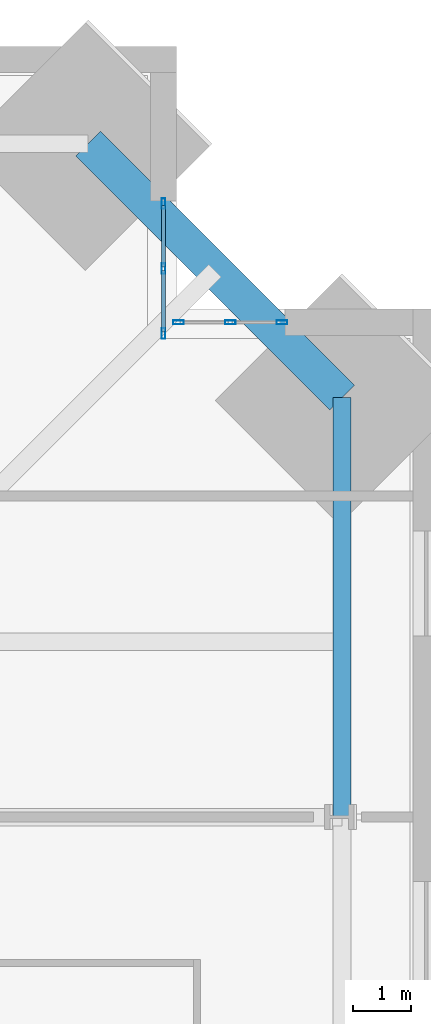
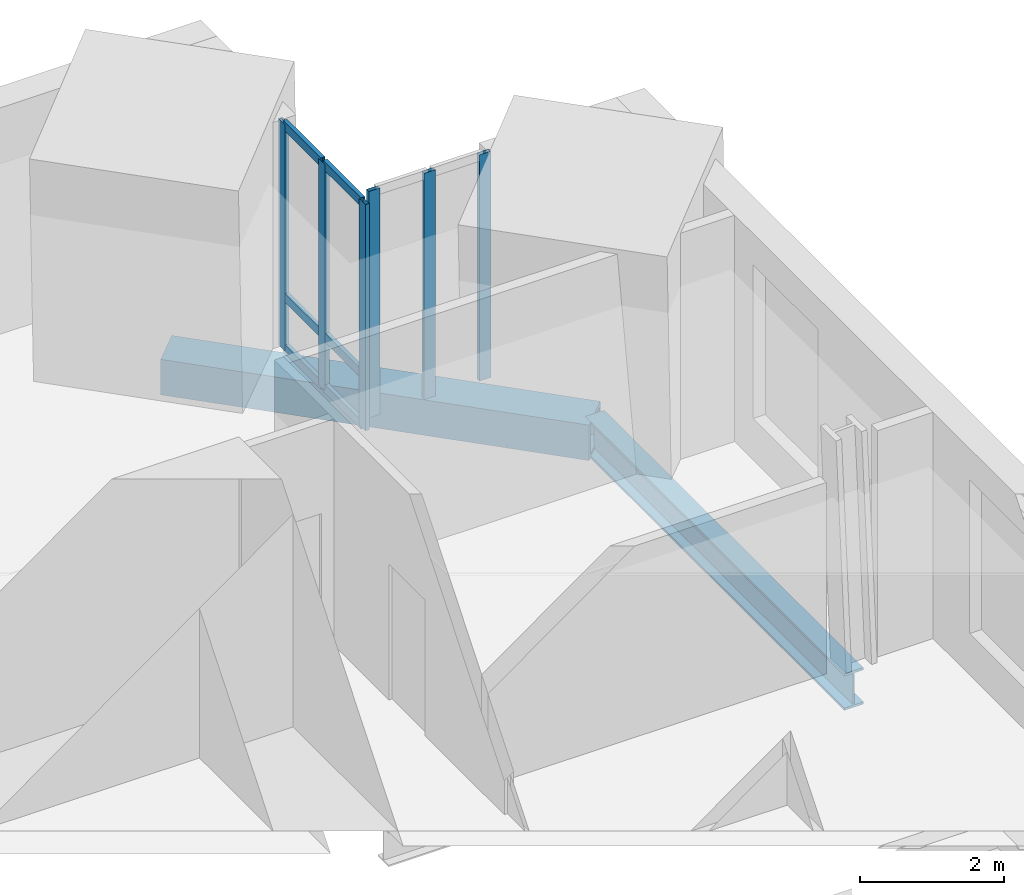
# One storey, part 8 of 15: 12 members, 2 beams, 2 elements without a shape of their own.
"""IFC4 building model written with IfcOpenShell, lengths in metres."""

from ifc_helpers import new_model, si_unit, direction, frame, origin, origin_2d, place, context, subcontext, project, spatial, hollow_rectangle, i_section, extrude, material, material_profile, profile_set, type_object, element, aggregate, save


model = new_model("IFC4")

# Units and contexts
model_context = context("Model", 3, precision=1e-05, world=origin(), true_north=direction((0.0, 1.0)))
body_context = subcontext(model_context, "Body", "Model", "MODEL_VIEW")
ifc_project = project(units=[si_unit("LENGTHUNIT", "METRE"), si_unit("AREAUNIT", "SQUARE_METRE"), si_unit("VOLUMEUNIT", "CUBIC_METRE"), si_unit("PLANEANGLEUNIT", "RADIAN"), si_unit("MASSUNIT", "GRAM", prefix="KILO")], contexts=[model_context])

# Site, building, storey
site_placement = place(None, origin())
site = spatial("IfcSite", under=ifc_project, at=site_placement, CompositionType="ELEMENT")
building_placement = place(site_placement, origin())
building = spatial("IfcBuilding", under=site, at=building_placement, Name="Peilmerk Tower", CompositionType="ELEMENT")
storey_placement = place(building_placement, frame((0.0, 0.0, 281.800048828125)))
storey = spatial("IfcBuildingStorey", under=building, at=storey_placement, Name="L63", CompositionType="ELEMENT", Elevation=281.800048828125)

# Beams
ifc_material_1 = material(Name="Steel S460", Category="steel")
ifc_material_profile_1 = material_profile(ifc_material_1, hollow_rectangle(XDim=0.60009765625, YDim=0.60009765625, WallThickness=0.06005859375, at=origin_2d()), Name="BOX 600x600x60")
ifc_profile_set_1 = profile_set([ifc_material_profile_1], Name="Steel S460")
beam_type_1 = type_object("IfcBeamType", Name="B20 BOX 600x600x60 notch beam", PredefinedType="SPANDREL", material=ifc_profile_set_1)
beam_1_placement = place(storey_placement, frame((15.183837890625, 19.533935546875, -0.469970703125), z_axis=(0.707106781187, -0.707106781187, 0.0), x_axis=(0.707106781187, 0.707106781187, 0.0)))
element("IfcBeam", 1, at=beam_1_placement, inside=storey, type_object=beam_type_1, Name="Notch beam L63", PredefinedType="SPANDREL", context=body_context, shape_type="SweptSolid", body=[
    extrude(hollow_rectangle(XDim=0.60009765625, YDim=0.60009765625, WallThickness=0.06005859375, at=origin_2d()), origin(), (0.0, 0.0, 1.0), 6.15185546875),
])
ifc_material_2 = material(Name="Steel S355", Category="steel")
ifc_material_profile_2 = material_profile(ifc_material_2, i_section(OverallWidth=0.304931640625, OverallDepth=0.6201171875, WebThickness=0.02099609375, FlangeThickness=0.0400390625, at=origin_2d()), Name="HEM 600")
ifc_profile_set_2 = profile_set([ifc_material_profile_2], Name="Steel S355")
beam_type_2 = type_object("IfcBeamType", Name="B31 HEM 600 edge beam", PredefinedType="SPANDREL", material=ifc_profile_set_2)
beam_2_placement = place(storey_placement, frame((19.533935546875, 8.0, -0.47998046875), z_axis=(0.0, 1.0, 0.0), x_axis=(-1.0, 0.0, 0.0)))
element("IfcBeam", 2, at=beam_2_placement, inside=storey, type_object=beam_type_2, Name="Edge beam L63", PredefinedType="SPANDREL", context=body_context, shape_type="SweptSolid", body=[
    extrude(i_section(OverallWidth=0.304931640625, OverallDepth=0.6201171875, WebThickness=0.02099609375, FlangeThickness=0.0400390625, at=origin_2d()), origin(), (0.0, 0.0, 1.0), 7.183837890625),
])

# Curtain wall, members
ifc_material_3 = material(Name="Aluminium stick curtain wall", Category="aluminium")
curtain_wall_type = type_object("IfcCurtainWallType", Name="CW4 stick curtain wall, 2250 module", PredefinedType="NOTDEFINED", material=ifc_material_3)
curtain_wall_1_placement = place(storey_placement, origin())
curtain_wall_1 = element("IfcCurtainWall", 3, at=curtain_wall_1_placement, inside=storey, type_object=curtain_wall_type, Name="Curtain wall CW4 NEA L63", PredefinedType="NOTDEFINED")
ifc_material_4 = material(Name="Aluminium EN AW-6063 T6", Category="aluminium")
ifc_material_profile_3 = material_profile(ifc_material_4, hollow_rectangle(XDim=0.06494140625, YDim=0.179931640625, WallThickness=0.0029296875, at=origin_2d()), Name="AL 180x65x3")
ifc_profile_set_3 = profile_set([ifc_material_profile_3], Name="Aluminium EN AW-6063 T6")
member_type_1 = type_object("IfcMemberType", Name="CW4-M AL 180x65x3 mullion", PredefinedType="MULLION", material=ifc_profile_set_3)
member_1_placement = place(storey_placement, frame((16.47509765625, 16.282470703125, 0.0), z_axis=(0.0, 0.0, 1.0), x_axis=(-1.0, 0.0, 0.0)))
member_1 = element("IfcMember", 4, at=member_1_placement, type_object=member_type_1, Name="CW4 mullion 1", PredefinedType="MULLION", context=body_context, shape_type="SweptSolid", body=[
    extrude(hollow_rectangle(XDim=0.06494140625, YDim=0.179931640625, WallThickness=0.0029296875, at=origin_2d()), origin(), (0.0, 0.0, 1.0), 3.829833984375),
])
member_2_placement = place(storey_placement, frame((16.47509765625, 17.394287109375, 0.0), z_axis=(0.0, 0.0, 1.0), x_axis=(-1.0, 0.0, 0.0)))
member_2 = element("IfcMember", 5, at=member_2_placement, type_object=member_type_1, Name="CW4 mullion 2", PredefinedType="MULLION", context=body_context, shape_type="SweptSolid", body=[
    extrude(hollow_rectangle(XDim=0.06494140625, YDim=0.179931640625, WallThickness=0.0029296875, at=origin_2d()), origin(), (0.0, 0.0, 1.0), 3.829833984375),
])
member_3_placement = place(storey_placement, frame((16.47509765625, 18.506103515625, 0.0), z_axis=(0.0, 0.0, 1.0), x_axis=(-1.0, 0.0, 0.0)))
member_3 = element("IfcMember", 6, at=member_3_placement, type_object=member_type_1, Name="CW4 mullion 3", PredefinedType="MULLION", context=body_context, shape_type="SweptSolid", body=[
    extrude(hollow_rectangle(XDim=0.06494140625, YDim=0.179931640625, WallThickness=0.0029296875, at=origin_2d()), origin(), (0.0, 0.0, 1.0), 3.829833984375),
])

curtain_wall_2_placement = place(storey_placement, origin())
curtain_wall_2 = element("IfcCurtainWall", 7, at=curtain_wall_2_placement, inside=storey, type_object=curtain_wall_type, Name="Curtain wall CW4 NEB L63", PredefinedType="NOTDEFINED")
member_4_placement = place(storey_placement, frame((16.732421875, 16.47509765625, 0.0), z_axis=(0.0, 0.0, 1.0), x_axis=(0.0, 1.0, 0.0)))
member_4 = element("IfcMember", 8, at=member_4_placement, type_object=member_type_1, Name="CW4 mullion 1", PredefinedType="MULLION", context=body_context, shape_type="SweptSolid", body=[
    extrude(hollow_rectangle(XDim=0.06494140625, YDim=0.179931640625, WallThickness=0.0029296875, at=origin_2d()), origin(), (0.0, 0.0, 1.0), 3.829833984375),
])
member_5_placement = place(storey_placement, frame((17.619384765625, 16.47509765625, 0.0), z_axis=(0.0, 0.0, 1.0), x_axis=(0.0, 1.0, 0.0)))
member_5 = element("IfcMember", 9, at=member_5_placement, type_object=member_type_1, Name="CW4 mullion 2", PredefinedType="MULLION", context=body_context, shape_type="SweptSolid", body=[
    extrude(hollow_rectangle(XDim=0.06494140625, YDim=0.179931640625, WallThickness=0.0029296875, at=origin_2d()), origin(), (0.0, 0.0, 1.0), 3.829833984375),
])
member_6_placement = place(storey_placement, frame((18.506103515625, 16.47509765625, 0.0), z_axis=(0.0, 0.0, 1.0), x_axis=(0.0, 1.0, 0.0)))
member_6 = element("IfcMember", 10, at=member_6_placement, type_object=member_type_1, Name="CW4 mullion 3", PredefinedType="MULLION", context=body_context, shape_type="SweptSolid", body=[
    extrude(hollow_rectangle(XDim=0.06494140625, YDim=0.179931640625, WallThickness=0.0029296875, at=origin_2d()), origin(), (0.0, 0.0, 1.0), 3.829833984375),
])
aggregate(curtain_wall_2, [member_4, member_5, member_6])

# Member
ifc_material_profile_4 = material_profile(ifc_material_4, hollow_rectangle(XDim=0.06494140625, YDim=0.14990234375, WallThickness=0.0029296875, at=origin_2d()), Name="AL 150x65x3")
ifc_profile_set_4 = profile_set([ifc_material_profile_4], Name="Aluminium EN AW-6063 T6")
member_type_2 = type_object("IfcMemberType", Name="CW4-T AL 150x65x3 transom", PredefinedType="USERDEFINED", material=ifc_profile_set_4)
member_7_placement = place(storey_placement, frame((16.47509765625, 16.31494140625, 0.032470703125), z_axis=(0.0, 1.0, 0.0), x_axis=(-1.0, 0.0, 0.0)))
member_7 = element("IfcMember", 11, at=member_7_placement, type_object=member_type_2, Name="CW4 transom 1.1", ObjectType="TRANSOM", PredefinedType="USERDEFINED", context=body_context, shape_type="SweptSolid", body=[
    extrude(hollow_rectangle(XDim=0.06494140625, YDim=0.14990234375, WallThickness=0.0029296875, at=origin_2d()), origin(), (0.0, 0.0, 1.0), 1.046875),
])

member_8_placement = place(storey_placement, frame((16.47509765625, 16.31494140625, 0.89990234375), z_axis=(0.0, 1.0, 0.0), x_axis=(-1.0, 0.0, 0.0)))
member_8 = element("IfcMember", 12, at=member_8_placement, type_object=member_type_2, Name="CW4 transom 1.2", ObjectType="TRANSOM", PredefinedType="USERDEFINED", context=body_context, shape_type="SweptSolid", body=[
    extrude(hollow_rectangle(XDim=0.06494140625, YDim=0.14990234375, WallThickness=0.0029296875, at=origin_2d()), origin(), (0.0, 0.0, 1.0), 1.046875),
])

member_9_placement = place(storey_placement, frame((16.47509765625, 16.31494140625, 3.79736328125), z_axis=(0.0, 1.0, 0.0), x_axis=(-1.0, 0.0, 0.0)))
member_9 = element("IfcMember", 13, at=member_9_placement, type_object=member_type_2, Name="CW4 transom 1.3", ObjectType="TRANSOM", PredefinedType="USERDEFINED", context=body_context, shape_type="SweptSolid", body=[
    extrude(hollow_rectangle(XDim=0.06494140625, YDim=0.14990234375, WallThickness=0.0029296875, at=origin_2d()), origin(), (0.0, 0.0, 1.0), 1.046875),
])

member_10_placement = place(storey_placement, frame((16.47509765625, 17.4267578125, 0.032470703125), z_axis=(0.0, 1.0, 0.0), x_axis=(-1.0, 0.0, 0.0)))
member_10 = element("IfcMember", 14, at=member_10_placement, type_object=member_type_2, Name="CW4 transom 2.1", ObjectType="TRANSOM", PredefinedType="USERDEFINED", context=body_context, shape_type="SweptSolid", body=[
    extrude(hollow_rectangle(XDim=0.06494140625, YDim=0.14990234375, WallThickness=0.0029296875, at=origin_2d()), origin(), (0.0, 0.0, 1.0), 1.046875),
])

member_11_placement = place(storey_placement, frame((16.47509765625, 17.4267578125, 0.89990234375), z_axis=(0.0, 1.0, 0.0), x_axis=(-1.0, 0.0, 0.0)))
member_11 = element("IfcMember", 15, at=member_11_placement, type_object=member_type_2, Name="CW4 transom 2.2", ObjectType="TRANSOM", PredefinedType="USERDEFINED", context=body_context, shape_type="SweptSolid", body=[
    extrude(hollow_rectangle(XDim=0.06494140625, YDim=0.14990234375, WallThickness=0.0029296875, at=origin_2d()), origin(), (0.0, 0.0, 1.0), 1.046875),
])

member_12_placement = place(storey_placement, frame((16.47509765625, 17.4267578125, 3.79736328125), z_axis=(0.0, 1.0, 0.0), x_axis=(-1.0, 0.0, 0.0)))
member_12 = element("IfcMember", 16, at=member_12_placement, type_object=member_type_2, Name="CW4 transom 2.3", ObjectType="TRANSOM", PredefinedType="USERDEFINED", context=body_context, shape_type="SweptSolid", body=[
    extrude(hollow_rectangle(XDim=0.06494140625, YDim=0.14990234375, WallThickness=0.0029296875, at=origin_2d()), origin(), (0.0, 0.0, 1.0), 1.046875),
])

aggregate(curtain_wall_1, [member_1, member_2, member_3, member_7, member_8, member_9, member_10, member_11, member_12])

save(model, "model.ifc")
